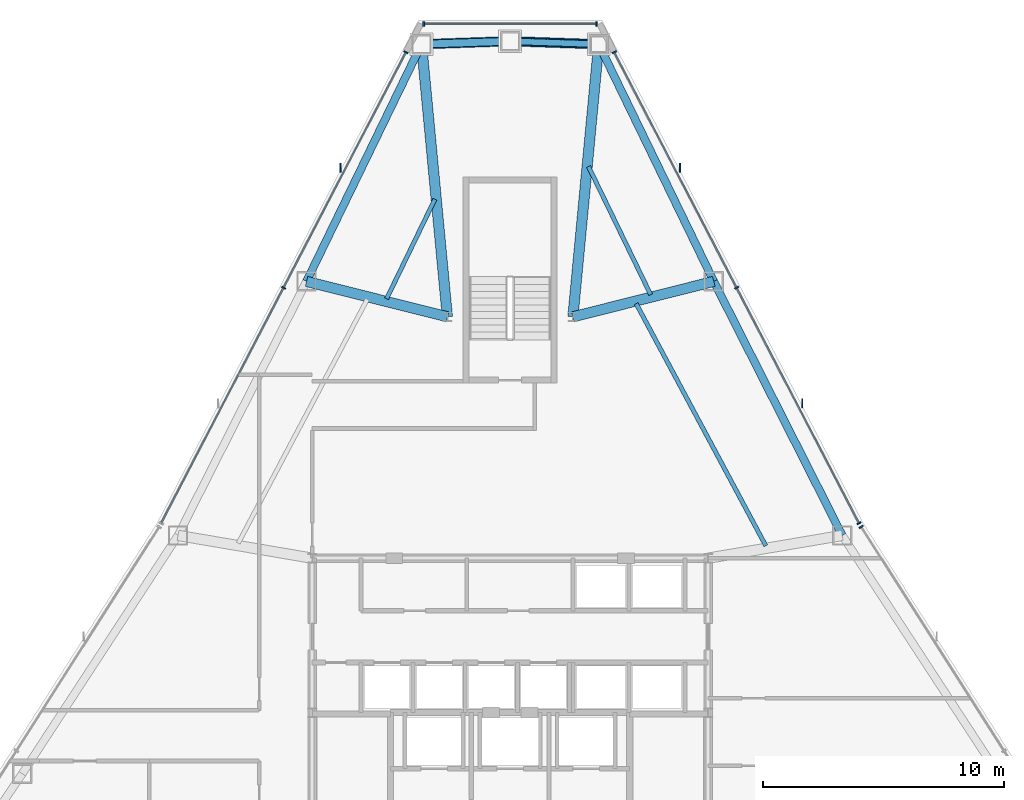
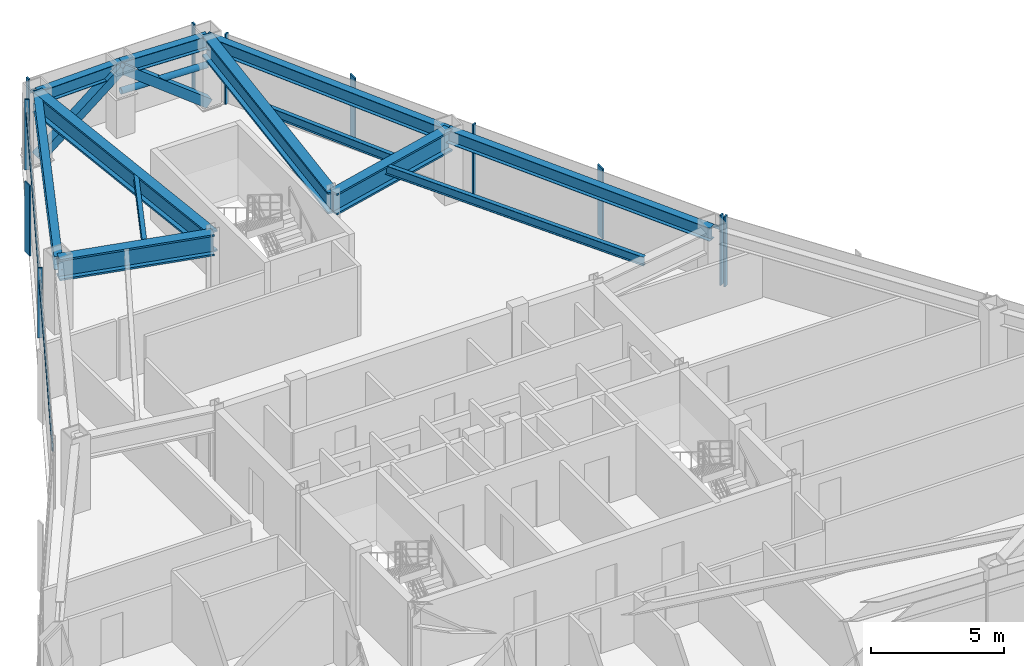
# One storey, part 8 of 13: 17 members, 12 beams, 4 elements without a shape of their own.
"""IFC4 building model written with IfcOpenShell, lengths in metres."""

import ifcopenshell
import ifcopenshell.guid

model = None  # the IFC model being written
_history = None  # IfcOwnerHistory: only IFC2X3 demands one
_inside = {}  # id of a spatial element -> (the spatial element, [elements in it])
_under = {}  # id of a project, library or spatial element -> (it, [spatial elements below it])
_declared = {}  # id of a project -> (the project, [libraries it declares])
_typed = {}  # id of a type object -> (the type object, [elements of that type])
_made_of = {}  # id of a material, layer set ... -> (it, [elements and type objects made of it])


def new_model(schema):
    """Start an empty IFC model of exactly this schema.

    Asked for "IFC4X3", IfcOpenShell would pick the latest addendum, in which some entities
    have other attributes; the version numbers below select the first issue.
    IFC2X3 requires an IfcOwnerHistory on every rooted entity: one is made here for all.
    """
    global model, _history
    if schema == "IFC4X3":
        model = ifcopenshell.file(schema_version=(4, 3, 0, 0))
    else:
        model = ifcopenshell.file(schema=schema)
    _inside.clear()
    _under.clear()
    _declared.clear()
    _typed.clear()
    _made_of.clear()
    _history = None
    if model.schema == "IFC2X3":
        org = make("IfcOrganization", Name="unknown")
        user = make(
            "IfcPersonAndOrganization",
            ThePerson=make("IfcPerson", FamilyName="unknown"),
            TheOrganization=org,
        )
        app = make(
            "IfcApplication",
            ApplicationDeveloper=org,
            Version="unknown",
            ApplicationFullName="unknown",
            ApplicationIdentifier="unknown",
        )
        _history = make(
            "IfcOwnerHistory",
            OwningUser=user,
            OwningApplication=app,
            ChangeAction="ADDED",
            CreationDate=0,
        )
    return model


def make(cls, **values):
    """One entity of the class cls with the attributes given. An attribute that is None is left unset."""
    return model.create_entity(
        cls, **{name: value for name, value in values.items() if value is not None}
    )


def rooted(cls, **values):
    """An entity with a GlobalId (a new one), such as an element, a storey or a relation."""
    return make(cls, GlobalId=ifcopenshell.guid.new(), OwnerHistory=_history, **values)


def si_unit(unit_type, name, prefix=None):
    """IfcSIUnit, for example si_unit("LENGTHUNIT", "METRE", prefix="MILLI")."""
    return make("IfcSIUnit", UnitType=unit_type, Prefix=prefix, Name=name)


def assignment(units):
    """IfcUnitAssignment: the units of a project."""
    return None if units is None else make("IfcUnitAssignment", Units=units)


def point(xyz):
    """IfcCartesianPoint."""
    return None if xyz is None else make("IfcCartesianPoint", Coordinates=xyz)


def direction(xyz):
    """IfcDirection."""
    return None if xyz is None else make("IfcDirection", DirectionRatios=xyz)


def frame(location, z_axis=None, x_axis=None):
    """IfcAxis2Placement3D, a coordinate frame: its origin and axes. An axis left out is left unset."""
    return make(
        "IfcAxis2Placement3D",
        Location=point(location),
        Axis=direction(z_axis),
        RefDirection=direction(x_axis),
    )


def frame_2d(location, x_axis=None):
    """IfcAxis2Placement2D, a coordinate frame in the plane: its origin and x axis."""
    return make(
        "IfcAxis2Placement2D", Location=point(location), RefDirection=direction(x_axis)
    )


def origin():
    """The frame at (0, 0, 0) with its axes left unset."""
    return frame((0.0, 0.0, 0.0))


def origin_2d():
    """The frame at (0, 0) in the plane with its x axis left unset."""
    return frame_2d((0.0, 0.0))


def place(relative_to, where):
    """IfcLocalPlacement: puts the frame where relative to a parent placement (None: the world)."""
    return make(
        "IfcLocalPlacement", PlacementRelTo=relative_to, RelativePlacement=where
    )


def context(
    kind, dimensions, precision=None, world=None, true_north=None, identifier=None
):
    """IfcGeometricRepresentationContext, for example the 3D "Model" context."""
    return make(
        "IfcGeometricRepresentationContext",
        ContextIdentifier=identifier,
        ContextType=kind,
        CoordinateSpaceDimension=dimensions,
        Precision=precision,
        WorldCoordinateSystem=world,
        TrueNorth=true_north,
    )


def subcontext(parent, identifier, kind, view, scale=None):
    """IfcGeometricRepresentationSubContext, for example "Body" below "Model"."""
    return make(
        "IfcGeometricRepresentationSubContext",
        ContextIdentifier=identifier,
        ContextType=kind,
        ParentContext=parent,
        TargetScale=scale,
        TargetView=view,
    )


def project(units=None, contexts=None):
    """IfcProject with its units and contexts."""
    return rooted(
        "IfcProject",
        Name="project",
        RepresentationContexts=contexts,
        UnitsInContext=assignment(units),
    )


def spatial(cls, under=None, at=None, **own):
    """A site, building, storey or space (cls), placed at a placement, below another one or the project."""
    s = rooted(cls, ObjectPlacement=at, **own)
    if under is not None:
        _under.setdefault(under.id(), (under, []))[1].append(s)
    return s


def profile(cls, at=None, kind="AREA", **sizes):
    """A parametric profile (cls). Its sizes go by their IFC names, for example OverallWidth=200.0."""
    return make(cls, ProfileType=kind, Position=at, **sizes)


def rectangle(**sizes):
    """IfcRectangleProfileDef."""
    return profile("IfcRectangleProfileDef", **sizes)


def hollow_rectangle(**sizes):
    """IfcRectangleHollowProfileDef."""
    return profile("IfcRectangleHollowProfileDef", **sizes)


def hollow_circle(**sizes):
    """IfcCircleHollowProfileDef."""
    return profile("IfcCircleHollowProfileDef", **sizes)


def i_section(**sizes):
    """IfcIShapeProfileDef."""
    return profile("IfcIShapeProfileDef", **sizes)


def extrude(swept, where, along, depth):
    """IfcExtrudedAreaSolid: the profile swept, set in the frame where, extruded along a direction by depth."""
    return make(
        "IfcExtrudedAreaSolid",
        SweptArea=swept,
        Position=where,
        ExtrudedDirection=direction(along),
        Depth=depth,
    )


def shape(context_of_items, identifier, shape_type, items):
    """IfcShapeRepresentation: the items that make up one representation, for example the "Body"."""
    return make(
        "IfcShapeRepresentation",
        ContextOfItems=context_of_items,
        RepresentationIdentifier=identifier,
        RepresentationType=shape_type,
        Items=items,
    )


def source(mapping_origin, context_of_items, identifier, shape_type, items):
    """IfcRepresentationMap: a shape defined once, which mapped items show again and again."""
    return make(
        "IfcRepresentationMap",
        MappingOrigin=mapping_origin,
        MappedRepresentation=shape(context_of_items, identifier, shape_type, items),
    )


def transform(
    local_origin,
    x_axis=None,
    y_axis=None,
    z_axis=None,
    scale=None,
    scale2=None,
    scale3=None,
    uniform=True,
):
    """IfcCartesianTransformationOperator3D, or its non-uniform kind. x_axis, y_axis, z_axis: its Axis1, 2, 3."""
    if uniform:
        return make(
            "IfcCartesianTransformationOperator3D",
            Axis1=direction(x_axis),
            Axis2=direction(y_axis),
            LocalOrigin=point(local_origin),
            Scale=scale,
            Axis3=direction(z_axis),
        )
    return make(
        "IfcCartesianTransformationOperator3DnonUniform",
        Axis1=direction(x_axis),
        Axis2=direction(y_axis),
        LocalOrigin=point(local_origin),
        Scale=scale,
        Axis3=direction(z_axis),
        Scale2=scale2,
        Scale3=scale3,
    )


def mapped(mapping_source, mapping_target):
    """IfcMappedItem: shows the shape of a source again, moved by a transform."""
    return make(
        "IfcMappedItem", MappingSource=mapping_source, MappingTarget=mapping_target
    )


def material(Name=None, Category=None):
    """IfcMaterial."""
    return make("IfcMaterial", Name=Name, Category=Category)


def layer(
    of_material, thickness, ventilated=None, Name=None, Category=None, Priority=None
):
    """IfcMaterialLayer: one layer of a wall or slab, of a material (None: an air gap)."""
    return make(
        "IfcMaterialLayer",
        Material=of_material,
        LayerThickness=thickness,
        IsVentilated=ventilated,
        Name=Name,
        Category=Category,
        Priority=Priority,
    )


def layer_set(layers, Name=None):
    """IfcMaterialLayerSet."""
    return make("IfcMaterialLayerSet", MaterialLayers=layers, LayerSetName=Name)


def material_profile(
    of_material, cross_section, Name=None, Category=None, Priority=None
):
    """IfcMaterialProfile: a cross section and its material."""
    return make(
        "IfcMaterialProfile",
        Name=Name,
        Material=of_material,
        Profile=cross_section,
        Priority=Priority,
        Category=Category,
    )


def profile_set(profiles, Name=None, composite=None):
    """IfcMaterialProfileSet."""
    return make(
        "IfcMaterialProfileSet",
        Name=Name,
        MaterialProfiles=profiles,
        CompositeProfile=composite,
    )


def made_of(thing, what):
    """Note that an element or type object is made of a material, layer set ...; save() writes the relation."""
    if what is not None:
        _made_of.setdefault(what.id(), (what, []))[1].append(thing)
    return thing


def type_object(cls, material=None, **own):
    """A type object (cls), such as IfcWallType, which elements share."""
    return made_of(rooted(cls, **own), material)


def type_shapes(of_type, sources):
    """Give a type object the sources (RepresentationMaps) that its elements show as mapped items."""
    of_type.RepresentationMaps = sources


def element(
    cls,
    number,
    at=None,
    inside=None,
    cuts=None,
    type_object=None,
    material=None,
    context=None,
    identifier="Body",
    shape_type=None,
    held_by="IfcProductDefinitionShape",
    body=None,
    shapes=None,
    **own,
):
    """One element of the class cls, such as IfcWall. Its Tag is "e" and its number.

    at: its placement. inside: the storey or other place that contains it. cuts: it is an
    opening in that element (IfcRelVoidsElement). A single representation is given by context,
    identifier, shape_type and body (its items); several are given by shapes. held_by: the class
    of the entity that holds the representations. save() writes the other relations.
    """
    e = rooted(cls, Tag="e%d" % number, ObjectPlacement=at, **own)
    if body is not None:
        shapes = [shape(context, identifier, shape_type, body)]
    if shapes is not None:
        e.Representation = make(held_by, Representations=shapes)
    if inside is not None:
        _inside.setdefault(inside.id(), (inside, []))[1].append(e)
    if cuts is not None:
        rooted(
            "IfcRelVoidsElement", RelatingBuildingElement=cuts, RelatedOpeningElement=e
        )
    if type_object is not None:
        _typed.setdefault(type_object.id(), (type_object, []))[1].append(e)
    return made_of(e, material)


def aggregate(whole, parts):
    """IfcRelAggregates: a whole, such as a stair, and the parts it consists of."""
    return rooted("IfcRelAggregates", RelatingObject=whole, RelatedObjects=parts)


def save(model, path):
    """Write the relations noted so far, then the file.

    IfcRelAggregates (storeys below a building ...), IfcRelContainedInSpatialStructure (elements
    in a storey), IfcRelDefinesByType, IfcRelAssociatesMaterial and IfcRelDeclares: one each for
    every whole, place, type object, material and project.
    """
    for whole, parts in _under.values():
        aggregate(whole, parts)
    for where, things in _inside.values():
        rooted(
            "IfcRelContainedInSpatialStructure",
            RelatedElements=things,
            RelatingStructure=where,
        )
    for kind, things in _typed.values():
        rooted("IfcRelDefinesByType", RelatedObjects=things, RelatingType=kind)
    for what, things in _made_of.values():
        rooted("IfcRelAssociatesMaterial", RelatedObjects=things, RelatingMaterial=what)
    for by, libraries in _declared.values():
        rooted("IfcRelDeclares", RelatingContext=by, RelatedDefinitions=libraries)
    model.write(path)


model = new_model("IFC4")

# Units and contexts
model_context = context("Model", 3, precision=1e-05, world=origin(), true_north=direction((0.0, 1.0)))
body_context = subcontext(model_context, "Body", "Model", "MODEL_VIEW")
ifc_project = project(units=[si_unit("LENGTHUNIT", "METRE"), si_unit("AREAUNIT", "SQUARE_METRE"), si_unit("VOLUMEUNIT", "CUBIC_METRE"), si_unit("PLANEANGLEUNIT", "RADIAN"), si_unit("MASSUNIT", "GRAM", prefix="KILO")], contexts=[model_context])

# Site, building, storey
site_placement = place(None, origin())
site = spatial("IfcSite", under=ifc_project, at=site_placement, CompositionType="ELEMENT")
building_placement = place(site_placement, origin())
building = spatial("IfcBuilding", under=site, at=building_placement, Name="Varakhsha Concourse Tower", CompositionType="ELEMENT")
storey_placement = place(building_placement, frame((0.0, 0.0, 189.60009765625)))
storey = spatial("IfcBuildingStorey", under=building, at=storey_placement, Name="L54", CompositionType="ELEMENT", Elevation=189.60009765625)

# Beams
ifc_material_1 = material(Name="Structural Steel ASTM A992 Grade 50", Category="steel")
ifc_material_profile_1 = material_profile(ifc_material_1, i_section(OverallWidth=0.177978515625, OverallDepth=0.406982421875, WebThickness=0.008056640625, FlangeThickness=0.012939453125, at=origin_2d()), Name="W16X40")
ifc_profile_set_1 = profile_set([ifc_material_profile_1], Name="Structural Steel ASTM A992 Grade 50")
beam_type_1 = type_object("IfcBeamType", Name="BM-JST-W16X40", PredefinedType="JOIST", material=ifc_profile_set_1)
beam_1_placement = place(storey_placement, frame((36.88134765625, 46.07080078125, 3.00634765625), z_axis=(-0.436448531926, -0.899729225367, 0.0), x_axis=(0.899729225367, -0.436448531926, 0.0)))
element("IfcBeam", 1, at=beam_1_placement, inside=storey, type_object=beam_type_1, Name="BM-TJST-L54-03", PredefinedType="JOIST", context=body_context, shape_type="SweptSolid", body=[
    extrude(i_section(OverallWidth=0.177978515625, OverallDepth=0.406982421875, WebThickness=0.008056640625, FlangeThickness=0.012939453125, at=origin_2d()), origin(), (0.0, 0.0, 1.0), 4.585693359375),
])
beam_2_placement = place(storey_placement, frame((50.593994140625, 31.712158203125, 3.00634765625), z_axis=(-0.472008954275, 0.881593753996, 0.0), x_axis=(-0.881593753996, -0.472008954275, 0.0)))
element("IfcBeam", 2, at=beam_2_placement, inside=storey, type_object=beam_type_1, Name="BM-TJST-L54-17", PredefinedType="JOIST", context=body_context, shape_type="SweptSolid", body=[
    extrude(i_section(OverallWidth=0.177978515625, OverallDepth=0.406982421875, WebThickness=0.008056640625, FlangeThickness=0.012939453125, at=origin_2d()), origin(), (0.0, 0.0, 1.0), 11.385009765625),
])
beam_3_placement = place(storey_placement, frame((45.82080078125, 42.12109375, 3.00634765625), z_axis=(-0.436499023114, 0.899704730909, 0.0), x_axis=(-0.899704730909, -0.436499023114, 0.0)))
element("IfcBeam", 3, at=beam_3_placement, inside=storey, type_object=beam_type_1, Name="BM-TJST-L54-18", PredefinedType="JOIST", context=body_context, shape_type="SweptSolid", body=[
    extrude(i_section(OverallWidth=0.177978515625, OverallDepth=0.406982421875, WebThickness=0.008056640625, FlangeThickness=0.012939453125, at=origin_2d()), origin(), (0.0, 0.0, 1.0), 5.896240234375),
])
ifc_material_profile_2 = material_profile(ifc_material_1, i_section(OverallWidth=0.323974609375, OverallDepth=0.611083984375, WebThickness=0.012939453125, FlangeThickness=0.01904296875, at=origin_2d()), Name="W24X104")
ifc_profile_set_2 = profile_set([ifc_material_profile_2], Name="Structural Steel ASTM A992 Grade 50")
beam_type_2 = type_object("IfcBeamType", Name="BM-SPAN-W24X104", PredefinedType="SPANDREL", material=ifc_profile_set_2)
for number, where, z_axis, x_axis, name in (
    (4, (43.669921875, 52.49462890625, 2.904296875), (-0.999433931978, 0.033642467375, 0.0), (-0.033642467375, -0.999433931978, 0.0), "BM-SPAN-L54-01"),
    (5, (40.0, 52.6181640625, 2.904296875), (-0.999433931978, -0.033642467375, 0.0), (0.033642467375, -0.999433931978, 0.0), "BM-SPAN-L54-02"),
):
    element("IfcBeam", number, at=place(storey_placement, frame(where, z_axis=z_axis, x_axis=x_axis)), inside=storey, type_object=beam_type_2, Name=name, PredefinedType="SPANDREL", context=body_context, shape_type="SweptSolid", body=[
        extrude(i_section(OverallWidth=0.323974609375, OverallDepth=0.611083984375, WebThickness=0.012939453125, FlangeThickness=0.01904296875, at=origin_2d()), origin(), (0.0, 0.0, 1.0), 3.672119140625),
    ])
beam_4_placement = place(storey_placement, frame((36.330078125, 52.49462890625, 2.904296875), z_axis=(-0.436478617516, -0.899714630564, 0.0), x_axis=(0.899714630564, -0.436478617516, 0.0)))
element("IfcBeam", 6, at=beam_4_placement, inside=storey, type_object=beam_type_2, Name="BM-SPAN-L54-03", PredefinedType="SPANDREL", context=body_context, shape_type="SweptSolid", body=[
    extrude(i_section(OverallWidth=0.323974609375, OverallDepth=0.611083984375, WebThickness=0.012939453125, FlangeThickness=0.01904296875, at=origin_2d()), origin(), (0.0, 0.0, 1.0), 10.921630859375),
])
beam_5_placement = place(storey_placement, frame((53.759033203125, 32.143798828125, 2.904296875), z_axis=(-0.451266437973, 0.892389265937, 0.0), x_axis=(-0.892389265937, -0.451266437973, 0.0)))
element("IfcBeam", 7, at=beam_5_placement, inside=storey, type_object=beam_type_2, Name="BM-SPAN-L54-17", PredefinedType="SPANDREL", context=body_context, shape_type="SweptSolid", body=[
    extrude(i_section(OverallWidth=0.323974609375, OverallDepth=0.611083984375, WebThickness=0.012939453125, FlangeThickness=0.01904296875, at=origin_2d()), origin(), (0.0, 0.0, 1.0), 11.79345703125),
])
beam_6_placement = place(storey_placement, frame((48.43701171875, 42.668212890625, 2.904296875), z_axis=(-0.436478617516, 0.899714630564, 0.0), x_axis=(-0.899714630564, -0.436478617516, 0.0)))
element("IfcBeam", 8, at=beam_6_placement, inside=storey, type_object=beam_type_2, Name="BM-SPAN-L54-18", PredefinedType="SPANDREL", context=body_context, shape_type="SweptSolid", body=[
    extrude(i_section(OverallWidth=0.323974609375, OverallDepth=0.611083984375, WebThickness=0.012939453125, FlangeThickness=0.01904296875, at=origin_2d()), origin(), (0.0, 0.0, 1.0), 10.921630859375),
])
ifc_material_profile_3 = material_profile(ifc_material_1, i_section(OverallWidth=0.427978515625, OverallDepth=0.97509765625, WebThickness=0.050048828125, FlangeThickness=0.0810546875, at=origin_2d()), Name="W36X395")
ifc_profile_set_3 = profile_set([ifc_material_profile_3], Name="Structural Steel ASTM A992 Grade 50")
beam_type_3 = type_object("IfcBeamType", Name="BM-XFER-W36X395", PredefinedType="USERDEFINED", material=ifc_profile_set_3)
for number, where, z_axis, x_axis, name in (
    (9, (42.60009765625, 41.199951171875, 2.722412109375), (0.094297260955, 0.995544085702, 0.0), (-0.995544085702, 0.094297260955, 0.0), "L54 Radial Floor Girder 01"),
    (10, (37.39990234375, 41.199951171875, 2.722412109375), (-0.094297260955, 0.995544085702, 0.0), (-0.995544085702, -0.094297260955, 0.0), "L54 Radial Floor Girder 03"),
):
    element("IfcBeam", number, at=place(storey_placement, frame(where, z_axis=z_axis, x_axis=x_axis)), inside=storey, type_object=beam_type_3, Name=name, ObjectType="GIRDER", PredefinedType="USERDEFINED", context=body_context, shape_type="SweptSolid", body=[
        extrude(i_section(OverallWidth=0.427978515625, OverallDepth=0.97509765625, WebThickness=0.050048828125, FlangeThickness=0.0810546875, at=origin_2d()), origin(), (0.0, 0.0, 1.0), 11.34521484375),
    ])
for number, where, z_axis, x_axis, name in (
    (11, (37.39990234375, 41.199951171875, 2.722412109375), (-0.969788332114, 0.243947926607, 0.0), (-0.243947926607, -0.969788332114, 0.0), "L54 Radial Floor Girder 04"),
    (12, (42.60009765625, 41.199951171875, 2.722412109375), (0.969788332114, 0.243947926607, 0.0), (-0.243947926607, 0.969788332114, 0.0), "L54 Radial Floor Girder 18"),
):
    element("IfcBeam", number, at=place(storey_placement, frame(where, z_axis=z_axis, x_axis=x_axis)), inside=storey, type_object=beam_type_3, Name=name, ObjectType="GIRDER", PredefinedType="USERDEFINED", context=body_context, shape_type="SweptSolid", body=[
        extrude(i_section(OverallWidth=0.427978515625, OverallDepth=0.97509765625, WebThickness=0.050048828125, FlangeThickness=0.0810546875, at=origin_2d()), origin(), (0.0, 0.0, 1.0), 6.018798828125),
    ])

# Members
ifc_material_2 = material(Name="Structural Steel ASTM A500 Grade C", Category="steel")
ifc_material_profile_4 = material_profile(ifc_material_2, hollow_rectangle(XDim=0.39990234375, YDim=0.39990234375, WallThickness=0.01611328125, at=origin_2d()), Name="HSS 400x400x16")
ifc_profile_set_4 = profile_set([ifc_material_profile_4], Name="Structural Steel ASTM A500 Grade C")
member_type_1 = type_object("IfcMemberType", Name="MB-TUBE-HSS400", PredefinedType="BRACE", material=ifc_profile_set_4)
shared_shape_1 = source(origin(), body_context, "Body", "SweptSolid", [
    extrude(hollow_rectangle(XDim=0.39990234375, YDim=0.39990234375, WallThickness=0.01611328125, at=origin_2d()), origin(), (0.0, 0.0, 1.0), 4.61181640625),
])
type_shapes(member_type_1, [shared_shape_1])
for number, where, z_axis, x_axis, name in (
    (13, (43.669921875, 52.49462890625, 0.119873046875), (-0.795782635684, 0.026787254767, 0.604989619518), (-0.033642467375, -0.999433931978, 0.0), "L54 Wind-Corner Tube Brace B01"),
    (14, (36.330078125, 52.49462890625, 0.119873046875), (0.795782635684, 0.026787254767, 0.604989619518), (-0.033642467375, 0.999433931978, 0.0), "L54 Wind-Corner Tube Brace B02"),
):
    element("IfcMember", number, at=place(storey_placement, frame(where, z_axis=z_axis, x_axis=x_axis)), inside=storey, type_object=member_type_1, Name=name, PredefinedType="BRACE", context=body_context, shape_type="MappedRepresentation", body=[
        mapped(shared_shape_1, transform((0.0, 0.0, 0.0), scale=1.0)),
    ])
ifc_material_profile_5 = material_profile(ifc_material_2, hollow_circle(Radius=0.136474609375, WallThickness=0.011962890625, at=origin_2d()), Name="CHS 273x12")
ifc_profile_set_5 = profile_set([ifc_material_profile_5], Name="Structural Steel ASTM A500 Grade C")
member_type_2 = type_object("IfcMemberType", Name="MB-WIND-CHS273", PredefinedType="COLLAR", material=ifc_profile_set_5)
shared_shape_2 = source(origin(), body_context, "Body", "SweptSolid", [
    extrude(hollow_circle(Radius=0.136474609375, WallThickness=0.011962890625, at=origin_2d()), origin(), (0.0, 0.0, 1.0), 3.672119140625),
])
type_shapes(member_type_2, [shared_shape_2])
member_1_placement = place(storey_placement, frame((43.669921875, 52.49462890625, 1.7998046875), z_axis=(-0.999433931978, 0.033642467375, 0.0), x_axis=(-0.033642467375, -0.999433931978, 0.0)))
element("IfcMember", 15, at=member_1_placement, inside=storey, type_object=member_type_2, Name="L54 Wind-Corner Collar Tie 1", PredefinedType="COLLAR", context=body_context, shape_type="MappedRepresentation", body=[
    mapped(shared_shape_2, transform((0.0, 0.0, 0.0), scale=1.0)),
])

# Curtain wall, member
ifc_material_3 = material(Name="Anodised Bronze Architectural Aluminium AA 6063-T6", Category="aluminium")
ifc_layer = layer(ifc_material_3, 0.2099609375, Name="CW-SYS-04")
ifc_layer_set = layer_set([ifc_layer], Name="Anodised Bronze Architectural Aluminium AA 6063-T6")
curtain_wall_type = type_object("IfcCurtainWallType", Name="CW-SYS-04", PredefinedType="NOTDEFINED", material=ifc_layer_set)
curtain_wall_1_placement = place(storey_placement, origin())
curtain_wall_1 = element("IfcCurtainWall", 16, at=curtain_wall_1_placement, inside=storey, type_object=curtain_wall_type, Name="L54 Crystal Curtain Wall F2", PredefinedType="NOTDEFINED")
ifc_material_profile_6 = material_profile(ifc_material_3, rectangle(XDim=0.06005859375, YDim=0.3798828125, at=origin_2d()), Name="FIN-BRZ-380")
ifc_profile_set_6 = profile_set([ifc_material_profile_6], Name="Anodised Bronze Architectural Aluminium AA 6063-T6")
member_type_3 = type_object("IfcMemberType", Name="FIN-BRZ-380", PredefinedType="USERDEFINED", material=ifc_profile_set_6)
shared_shape_3 = source(origin(), body_context, "Body", "SweptSolid", [
    extrude(rectangle(XDim=0.06005859375, YDim=0.3798828125, at=origin_2d()), origin(), (0.0, 0.0, 1.0), 3.2099609375),
])
type_shapes(member_type_3, [shared_shape_3])
member_2_placement = place(storey_placement, frame((32.96923828125, 47.379638671875, 0.0), z_axis=(0.0, 0.0, 1.0), x_axis=(1.0, 0.0, 0.0)))
member_2 = element("IfcMember", 17, at=member_2_placement, type_object=member_type_3, Name="L54 Anodised Bronze Solar Fin F2-2", ObjectType="SOLAR FIN", PredefinedType="USERDEFINED", context=body_context, shape_type="MappedRepresentation", body=[
    mapped(shared_shape_3, transform((0.0, 0.0, 0.0), scale=1.0)),
])

# Curtain wall, members
curtain_wall_2_placement = place(storey_placement, origin())
curtain_wall_2 = element("IfcCurtainWall", 18, at=curtain_wall_2_placement, inside=storey, type_object=curtain_wall_type, Name="L54 Crystal Curtain Wall F9", PredefinedType="NOTDEFINED")
member_3_placement = place(storey_placement, frame((47.03076171875, 47.379638671875, 0.0), z_axis=(0.0, 0.0, 1.0), x_axis=(1.0, 0.0, 0.0)))
member_3 = element("IfcMember", 19, at=member_3_placement, type_object=member_type_3, Name="L54 Anodised Bronze Solar Fin F9-1", ObjectType="SOLAR FIN", PredefinedType="USERDEFINED", context=body_context, shape_type="MappedRepresentation", body=[
    mapped(shared_shape_3, transform((0.0, 0.0, 0.0), scale=1.0)),
])
member_4_placement = place(storey_placement, frame((52.1025390625, 37.620849609375, 0.0), z_axis=(0.0, 0.0, 1.0), x_axis=(1.0, 0.0, 0.0)))
member_4 = element("IfcMember", 20, at=member_4_placement, type_object=member_type_3, Name="L54 Anodised Bronze Solar Fin F9-2", ObjectType="SOLAR FIN", PredefinedType="USERDEFINED", context=body_context, shape_type="MappedRepresentation", body=[
    mapped(shared_shape_3, transform((0.0, 0.0, 0.0), scale=1.0)),
])

curtain_wall_3_placement = place(storey_placement, origin())
curtain_wall_3 = element("IfcCurtainWall", 21, at=curtain_wall_3_placement, inside=storey, type_object=curtain_wall_type, Name="L54 Chamfer Curtain Wall F1", PredefinedType="NOTDEFINED")
ifc_material_profile_7 = material_profile(ifc_material_3, rectangle(XDim=0.06494140625, YDim=0.179931640625, at=origin_2d()), Name="CWM-180X65")
ifc_profile_set_7 = profile_set([ifc_material_profile_7], Name="Anodised Bronze Architectural Aluminium AA 6063-T6")
member_type_4 = type_object("IfcMemberType", Name="CWM-180X65", PredefinedType="MULLION", material=ifc_profile_set_7)
shared_shape_4 = source(origin(), body_context, "Body", "SweptSolid", [
    extrude(rectangle(XDim=0.06494140625, YDim=0.179931640625, at=origin_2d()), origin(), (0.0, 0.0, 1.0), 3.2099609375),
])
type_shapes(member_type_4, [shared_shape_4])
member_5_placement = place(storey_placement, frame((36.419921875, 53.338134765625, 0.0), z_axis=(0.0, 0.0, 1.0), x_axis=(1.0, 0.0, 0.0)))
member_5 = element("IfcMember", 22, at=member_5_placement, type_object=member_type_4, Name="CW-L54-F1 Mullion 00", PredefinedType="MULLION", context=body_context, shape_type="MappedRepresentation", body=[
    mapped(shared_shape_4, transform((0.0, 0.0, 0.0), scale=1.0)),
])
member_6_placement = place(storey_placement, frame((43.580078125, 53.338134765625, 0.0), z_axis=(0.0, 0.0, 1.0), x_axis=(1.0, 0.0, 0.0)))
member_6 = element("IfcMember", 23, at=member_6_placement, type_object=member_type_4, Name="CW-L54-F1 Mullion 01", PredefinedType="MULLION", context=body_context, shape_type="MappedRepresentation", body=[
    mapped(shared_shape_4, transform((0.0, 0.0, 0.0), scale=1.0)),
])

# Member
member_7_placement = place(storey_placement, frame((30.615234375, 42.405517578125, 0.0), z_axis=(0.0, 0.0, 1.0), x_axis=(0.461155577875, 0.887319295967, 0.0)))
member_7 = element("IfcMember", 24, at=member_7_placement, type_object=member_type_4, Name="CW-L54-F2 Mullion 01", PredefinedType="MULLION", context=body_context, shape_type="MappedRepresentation", body=[
    mapped(shared_shape_4, transform((0.0, 0.0, 0.0), scale=1.0)),
])

member_8_placement = place(storey_placement, frame((35.68701171875, 52.164306640625, 0.0), z_axis=(0.0, 0.0, 1.0), x_axis=(0.461155577875, 0.887319295967, 0.0)))
member_8 = element("IfcMember", 25, at=member_8_placement, type_object=member_type_4, Name="CW-L54-F2 Mullion 02", PredefinedType="MULLION", context=body_context, shape_type="MappedRepresentation", body=[
    mapped(shared_shape_4, transform((0.0, 0.0, 0.0), scale=1.0)),
])

# Curtain wall, member
curtain_wall_4_placement = place(storey_placement, origin())
curtain_wall_4 = element("IfcCurtainWall", 26, at=curtain_wall_4_placement, inside=storey, type_object=curtain_wall_type, Name="L54 Crystal Curtain Wall F8", PredefinedType="NOTDEFINED")
member_9_placement = place(storey_placement, frame((54.54345703125, 32.49609375, 0.0), z_axis=(0.0, 0.0, 1.0), x_axis=(0.537863262638, -0.84303209352, 0.0)))
member_9 = element("IfcMember", 27, at=member_9_placement, type_object=member_type_4, Name="CW-L54-F8 Mullion 00", PredefinedType="MULLION", context=body_context, shape_type="MappedRepresentation", body=[
    mapped(shared_shape_4, transform((0.0, 0.0, 0.0), scale=1.0)),
])
aggregate(curtain_wall_4, [member_9])

# Member
member_10_placement = place(storey_placement, frame((44.31298828125, 52.164306640625, 0.0), z_axis=(0.0, 0.0, 1.0), x_axis=(0.461155577875, -0.887319295967, 0.0)))
member_10 = element("IfcMember", 28, at=member_10_placement, type_object=member_type_4, Name="CW-L54-F9 Mullion 00", PredefinedType="MULLION", context=body_context, shape_type="MappedRepresentation", body=[
    mapped(shared_shape_4, transform((0.0, 0.0, 0.0), scale=1.0)),
])

member_11_placement = place(storey_placement, frame((49.384765625, 42.40576171875, 0.0), z_axis=(0.0, 0.0, 1.0), x_axis=(0.461155577875, -0.887319295967, 0.0)))
member_11 = element("IfcMember", 29, at=member_11_placement, type_object=member_type_4, Name="CW-L54-F9 Mullion 01", PredefinedType="MULLION", context=body_context, shape_type="MappedRepresentation", body=[
    mapped(shared_shape_4, transform((0.0, 0.0, 0.0), scale=1.0)),
])

member_12_placement = place(storey_placement, frame((54.45654296875, 32.64697265625, 0.0), z_axis=(0.0, 0.0, 1.0), x_axis=(0.461155577875, -0.887319295967, 0.0)))
member_12 = element("IfcMember", 30, at=member_12_placement, type_object=member_type_4, Name="CW-L54-F9 Mullion 02", PredefinedType="MULLION", context=body_context, shape_type="MappedRepresentation", body=[
    mapped(shared_shape_4, transform((0.0, 0.0, 0.0), scale=1.0)),
])

ifc_material_profile_8 = material_profile(ifc_material_3, rectangle(XDim=0.06005859375, YDim=0.139892578125, at=origin_2d()), Name="CWT-140X60")
ifc_profile_set_8 = profile_set([ifc_material_profile_8], Name="Anodised Bronze Architectural Aluminium AA 6063-T6")
member_type_5 = type_object("IfcMemberType", Name="CWT-140X60", PredefinedType="USERDEFINED", material=ifc_profile_set_8)
shared_shape_5 = source(origin(), body_context, "Body", "SweptSolid", [
    extrude(rectangle(XDim=0.06005859375, YDim=0.139892578125, at=origin_2d()), origin(), (0.0, 0.0, 1.0), 21.995849609375),
])
member_13_placement = place(storey_placement, frame((25.54345703125, 32.64697265625, 2.559814453125), z_axis=(0.461157367844, 0.887318365686, 0.0), x_axis=(-0.887318365686, 0.461157367844, 0.0)))
member_13 = element("IfcMember", 31, at=member_13_placement, type_object=member_type_5, Name="CW-L54-F2 Transom 01", ObjectType="TRANSOM", PredefinedType="USERDEFINED", context=body_context, shape_type="MappedRepresentation", body=[
    mapped(shared_shape_5, transform((0.0, 0.0, 0.0), scale=1.0)),
])

aggregate(curtain_wall_1, [member_7, member_8, member_13, member_2])

member_14_placement = place(storey_placement, frame((44.31298828125, 52.164306640625, 2.559814453125), z_axis=(0.461157367844, -0.887318365686, 0.0), x_axis=(0.887318365686, 0.461157367844, 0.0)))
member_14 = element("IfcMember", 32, at=member_14_placement, type_object=member_type_5, Name="CW-L54-F9 Transom 01", ObjectType="TRANSOM", PredefinedType="USERDEFINED", context=body_context, shape_type="MappedRepresentation", body=[
    mapped(shared_shape_5, transform((0.0, 0.0, 0.0), scale=1.0)),
])

aggregate(curtain_wall_2, [member_10, member_11, member_12, member_14, member_3, member_4])

shared_shape_6 = source(origin(), body_context, "Body", "SweptSolid", [
    extrude(rectangle(XDim=0.06005859375, YDim=0.139892578125, at=origin_2d()), origin(), (0.0, 0.0, 1.0), 7.16015625),
])
type_shapes(member_type_5, [shared_shape_5, shared_shape_6])
member_15_placement = place(storey_placement, frame((36.419921875, 53.338134765625, 2.559814453125), z_axis=(1.0, 0.0, 0.0), x_axis=(0.0, 1.0, 0.0)))
member_15 = element("IfcMember", 33, at=member_15_placement, type_object=member_type_5, Name="CW-L54-F1 Transom 01", ObjectType="TRANSOM", PredefinedType="USERDEFINED", context=body_context, shape_type="MappedRepresentation", body=[
    mapped(shared_shape_6, transform((0.0, 0.0, 0.0), scale=1.0)),
])

aggregate(curtain_wall_3, [member_5, member_6, member_15])

save(model, "model.ifc")
